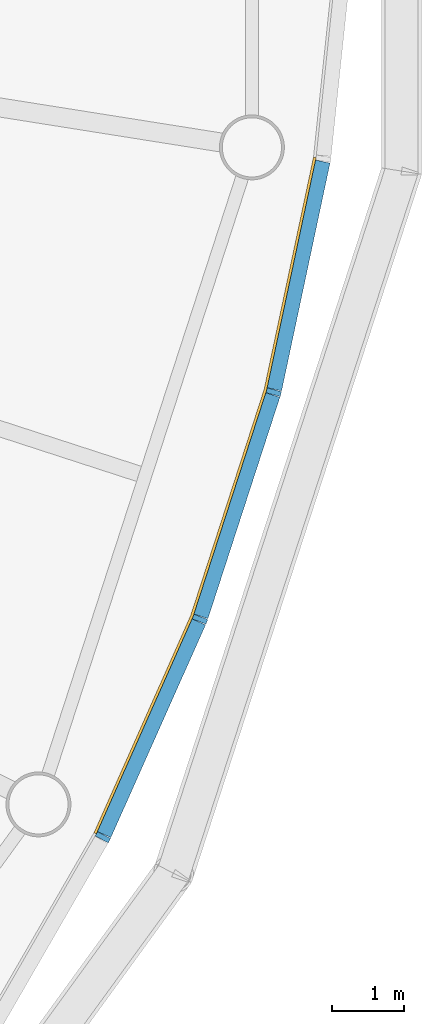
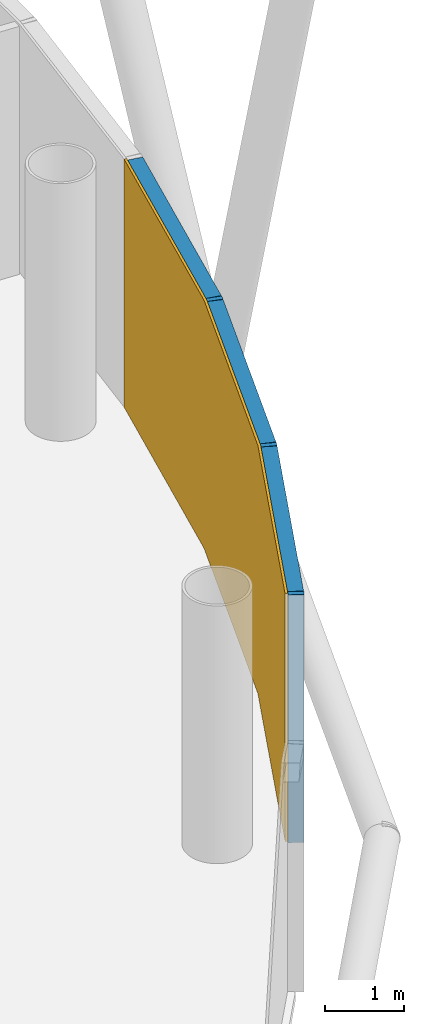
# One storey, part 9 of 13: 6 members, 1 curtain wall.
"""IFC4 building model written with IfcOpenShell, lengths in metres."""

from ifc_helpers import new_model, si_unit, direction, frame, origin, origin_2d, place, context, subcontext, project, spatial, polyline, rectangle, outline, extrude, material, layer, layer_set, material_profile, profile_set, type_object, element, aggregate, save


model = new_model("IFC4")

# Units and contexts
model_context = context("Model", 3, precision=1e-05, world=origin(), true_north=direction((0.0, 1.0)))
body_context = subcontext(model_context, "Body", "Model", "MODEL_VIEW")
ifc_project = project(units=[si_unit("LENGTHUNIT", "METRE"), si_unit("AREAUNIT", "SQUARE_METRE"), si_unit("VOLUMEUNIT", "CUBIC_METRE"), si_unit("PLANEANGLEUNIT", "RADIAN"), si_unit("MASSUNIT", "GRAM", prefix="KILO")], contexts=[model_context])

# Member
ifc_material_1 = material(Name="Anodised aluminium", Category="aluminium")
ifc_material_profile_1 = material_profile(ifc_material_1, rectangle(XDim=0.070068359375, YDim=0.205078125, at=origin_2d()), Name="Mullion 70 x 205 mm anodised aluminium")
ifc_profile_set_1 = profile_set([ifc_material_profile_1], Name="Anodised aluminium")
member_type_1 = type_object("IfcMemberType", Name="Mullion 70 x 205 mm anodised aluminium", PredefinedType="MULLION", material=ifc_profile_set_1)
site_placement = place(None, origin())
building_placement = place(site_placement, origin())
storey_placement = place(building_placement, frame((0.0, 0.0, 372.0)))
member_1_placement = place(storey_placement, frame((118.157958984375, 65.65283203125, 0.0), z_axis=(0.0, 0.0, 1.0), x_axis=(0.45399049974, 0.891006524188, 0.0)))
member_1 = element("IfcMember", 1, at=member_1_placement, type_object=member_type_1, Name="MULLION L86-54", PredefinedType="MULLION", context=body_context, shape_type="SweptSolid", body=[
    extrude(rectangle(XDim=0.070068359375, YDim=0.205078125, at=origin_2d()), origin(), (0.0, 0.0, 1.0), 3.85009765625),
])

member_2_placement = place(storey_placement, frame((119.50341796875, 68.674560546875, 0.0), z_axis=(0.0, 0.0, 1.0), x_axis=(0.358367949545, 0.933580426497, 0.0)))
member_2 = element("IfcMember", 2, at=member_2_placement, type_object=member_type_1, Name="MULLION L86-55", PredefinedType="MULLION", context=body_context, shape_type="SweptSolid", body=[
    extrude(rectangle(XDim=0.070068359375, YDim=0.205078125, at=origin_2d()), origin(), (0.0, 0.0, 1.0), 3.85009765625),
])

member_3_placement = place(storey_placement, frame((120.525634765625, 71.820556640625, 0.0), z_axis=(0.0, 0.0, 1.0), x_axis=(0.258819045103, 0.965925826289, 0.0)))
member_3 = element("IfcMember", 3, at=member_3_placement, type_object=member_type_1, Name="MULLION L86-56", PredefinedType="MULLION", context=body_context, shape_type="SweptSolid", body=[
    extrude(rectangle(XDim=0.070068359375, YDim=0.205078125, at=origin_2d()), origin(), (0.0, 0.0, 1.0), 3.85009765625),
])

ifc_material_2 = material(Name="Anodised aluminium", Category="aluminium")
ifc_material_profile_2 = material_profile(ifc_material_2, rectangle(XDim=0.205078125, YDim=0.195068359375, at=origin_2d()), Name="Transom 195 x 205 mm anodised aluminium")
ifc_profile_set_2 = profile_set([ifc_material_profile_2], Name="Anodised aluminium")
member_type_2 = type_object("IfcMemberType", Name="Transom 195 x 205 mm anodised aluminium", PredefinedType="USERDEFINED", material=ifc_profile_set_2)
member_4_placement = place(storey_placement, frame((118.174560546875, 65.689697265625, 3.75244140625), z_axis=(0.406791170024, 0.913521178731, 0.0), x_axis=(-0.913521178731, 0.406791170024, 0.0)))
member_4 = element("IfcMember", 4, at=member_4_placement, type_object=member_type_2, Name="TRANSOM L86-54", ObjectType="TRANSOM", PredefinedType="USERDEFINED", context=body_context, shape_type="SweptSolid", body=[
    extrude(rectangle(XDim=0.205078125, YDim=0.195068359375, at=origin_2d()), origin(), (0.0, 0.0, 1.0), 3.22705078125),
])

member_5_placement = place(storey_placement, frame((119.51611328125, 68.713134765625, 3.75244140625), z_axis=(0.309046726844, 0.951046855117, 0.0), x_axis=(-0.951046855117, 0.309046726844, 0.0)))
member_5 = element("IfcMember", 5, at=member_5_placement, type_object=member_type_2, Name="TRANSOM L86-55", ObjectType="TRANSOM", PredefinedType="USERDEFINED", context=body_context, shape_type="SweptSolid", body=[
    extrude(rectangle(XDim=0.205078125, YDim=0.195068359375, at=origin_2d()), origin(), (0.0, 0.0, 1.0), 3.22705078125),
])

member_6_placement = place(storey_placement, frame((120.5341796875, 71.860107421875, 3.75244140625), z_axis=(0.207885898771, 0.978153082647, 0.0), x_axis=(-0.978153082647, 0.207885898771, 0.0)))
member_6 = element("IfcMember", 6, at=member_6_placement, type_object=member_type_2, Name="TRANSOM L86-56", ObjectType="TRANSOM", PredefinedType="USERDEFINED", context=body_context, shape_type="SweptSolid", body=[
    extrude(rectangle(XDim=0.205078125, YDim=0.195068359375, at=origin_2d()), origin(), (0.0, 0.0, 1.0), 3.227294921875),
])

# Site, building, storey
site = spatial("IfcSite", under=ifc_project, at=site_placement, CompositionType="ELEMENT")
building = spatial("IfcBuilding", under=site, at=building_placement, Name="Entoto Ring Tower", CompositionType="ELEMENT")
storey = spatial("IfcBuildingStorey", under=building, at=storey_placement, Name="L86", CompositionType="ELEMENT", Elevation=372.0)

# Curtain wall
ifc_material_3 = material(Name="Clear low-iron glass", Category="glass")
ifc_layer = layer(ifc_material_3, 0.035888671875)
ifc_layer_set = layer_set([ifc_layer], Name="Clear low-iron glass")
curtain_wall_type = type_object("IfcCurtainWallType", Name="Curtain wall system CW6 glazing 36 mm", PredefinedType="NOTDEFINED", material=ifc_layer_set)
curtain_wall_placement = place(storey_placement, origin())
curtain_wall = element("IfcCurtainWall", 7, at=curtain_wall_placement, inside=storey, type_object=curtain_wall_type, Name="CW6 L86-19", PredefinedType="NOTDEFINED", context=body_context, shape_type="SweptSolid", body=[
    extrude(outline(polyline([(118.066650390625, 65.69921875), (119.40771484375, 68.71142578125), (120.4267578125, 71.84716796875), (121.1123046875, 75.072265625), (121.07666015625, 75.077880859375), (120.391845703125, 71.8564453125), (119.3740234375, 68.724365234375), (118.03466796875, 65.715576171875), (118.066650390625, 65.69921875)])), origin(), (0.0, 0.0, 1.0), 3.85009765625),
])

aggregate(curtain_wall, [member_1, member_2, member_3, member_4, member_5, member_6])

save(model, "model.ifc")
